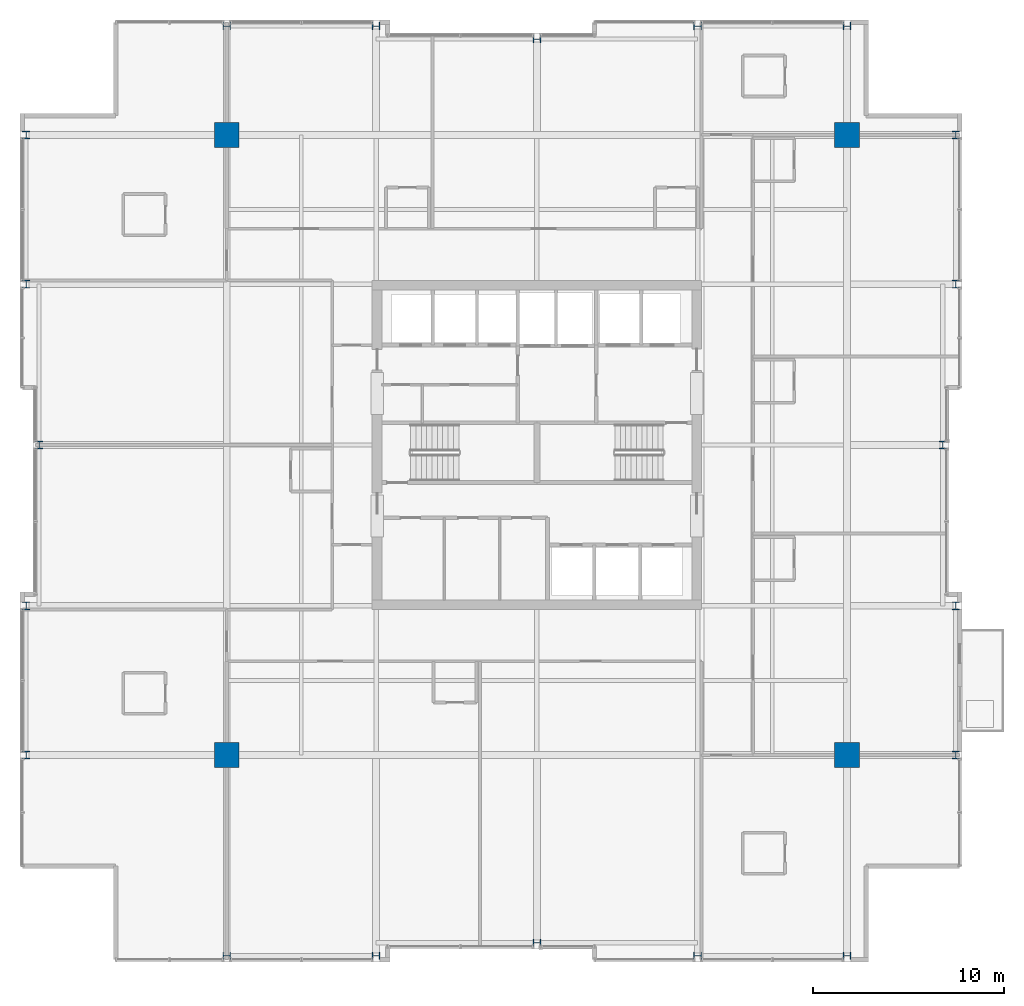
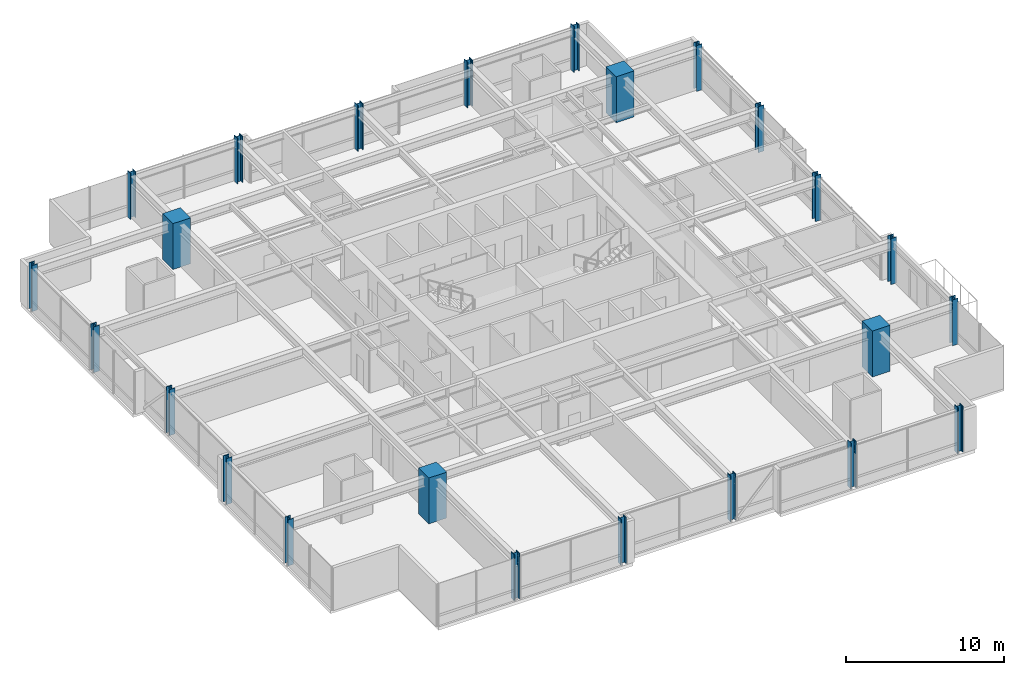
# One storey, part 1 of 33: 24 columns.
"""IFC4 building model written with IfcOpenShell, lengths in metres."""

from ifc_helpers import new_model, si_unit, direction, frame, origin, origin_2d, place, context, subcontext, project, spatial, rectangle, i_section, extrude, material, material_profile, profile_set, type_object, element, save


model = new_model("IFC4")

# Units and contexts
model_context = context("Model", 3, precision=1e-05, world=origin(), true_north=direction((0.0, 1.0)))
body_context = subcontext(model_context, "Body", "Model", "MODEL_VIEW")
ifc_project = project(units=[si_unit("LENGTHUNIT", "METRE"), si_unit("AREAUNIT", "SQUARE_METRE"), si_unit("VOLUMEUNIT", "CUBIC_METRE"), si_unit("PLANEANGLEUNIT", "RADIAN"), si_unit("MASSUNIT", "GRAM", prefix="KILO")], contexts=[model_context])

# Site, building, storey
site_placement = place(None, origin())
site = spatial("IfcSite", under=ifc_project, at=site_placement, CompositionType="ELEMENT")
building_placement = place(site_placement, origin())
building = spatial("IfcBuilding", under=site, at=building_placement, Name="Drelvath Grand Hotel", CompositionType="ELEMENT")
storey_placement = place(building_placement, frame((0.0, 0.0, 168.14990234375)))
storey = spatial("IfcBuildingStorey", under=building, at=storey_placement, Name="L43", CompositionType="ELEMENT", Elevation=168.14990234375)

# Columns
ifc_material_1 = material(Name="Concrete f'c 55 MPa", Category="concrete")
ifc_material_profile_1 = material_profile(ifc_material_1, rectangle(XDim=1.300048828125, YDim=1.300048828125, at=origin_2d()), Name="MC1300X1300")
ifc_profile_set_1 = profile_set([ifc_material_profile_1], Name="Concrete f'c 55 MPa")
column_type_1 = type_object("IfcColumnType", Name="Composite Mega Column MC1300X1300", PredefinedType="COLUMN", material=ifc_profile_set_1)
for number, where, z_axis, x_axis, name in (
    (1, (-16.199951171875, 10.800048828125, 0.0), (0.0, 0.0, 1.0), (1.0, 0.0, 0.0), "L43 Composite Mega Column MC-SW"),
    (2, (16.199951171875, 10.800048828125, 0.0), (0.0, 0.0, 1.0), (1.0, 0.0, 0.0), "L43 Composite Mega Column MC-SE"),
    (3, (-16.199951171875, 43.199951171875, 0.0), (0.0, 0.0, 1.0), (1.0, 0.0, 0.0), "L43 Composite Mega Column MC-NW"),
    (4, (16.199951171875, 43.199951171875, 0.0), (0.0, 0.0, 1.0), (1.0, 0.0, 0.0), "L43 Composite Mega Column MC-NE"),
):
    element("IfcColumn", number, at=place(storey_placement, frame(where, z_axis=z_axis, x_axis=x_axis)), inside=storey, type_object=column_type_1, Name=name, PredefinedType="COLUMN", context=body_context, shape_type="SweptSolid", body=[
        extrude(rectangle(XDim=1.300048828125, YDim=1.300048828125, at=origin_2d()), origin(), (0.0, 0.0, 1.0), 3.550048828125),
    ])
ifc_material_2 = material(Name="Steel ASTM A913 Gr 65", Category="steel")
ifc_material_profile_2 = material_profile(ifc_material_2, i_section(OverallWidth=0.40625, OverallDepth=0.416015625, WebThickness=0.02978515625, FlangeThickness=0.048095703125, FilletRadius=0.028076171875, at=origin_2d()), Name="W14X257")
ifc_profile_set_2 = profile_set([ifc_material_profile_2], Name="Steel ASTM A913 Gr 65")
column_type_2 = type_object("IfcColumnType", Name="Perimeter Steel Column W14X257", PredefinedType="COLUMN", material=ifc_profile_set_2)
for number, where, z_axis, x_axis, name in (
    (5, (-26.679931640625, 10.800048828125, 0.0), (0.0, 0.0, 1.0), (1.0, 0.0, 0.0), "L43 Structural Column TCW-C"),
    (6, (21.8798828125, 10.800048828125, 0.0), (0.0, 0.0, 1.0), (1.0, 0.0, 0.0), "L43 Structural Column TCE-C"),
    (7, (-26.679931640625, 18.60009765625, 0.0), (0.0, 0.0, 1.0), (1.0, 0.0, 0.0), "L43 Structural Column TCW-D"),
    (8, (21.8798828125, 18.60009765625, 0.0), (0.0, 0.0, 1.0), (1.0, 0.0, 0.0), "L43 Structural Column TCE-D"),
    (9, (-26.0, 27.0, 0.0), (0.0, 0.0, 1.0), (1.0, 0.0, 0.0), "L43 Structural Column TCW-E"),
    (10, (21.199951171875, 27.0, 0.0), (0.0, 0.0, 1.0), (1.0, 0.0, 0.0), "L43 Structural Column TCE-E"),
    (11, (-26.679931640625, 35.39990234375, 0.0), (0.0, 0.0, 1.0), (1.0, 0.0, 0.0), "L43 Structural Column TCW-F"),
    (12, (21.8798828125, 35.39990234375, 0.0), (0.0, 0.0, 1.0), (1.0, 0.0, 0.0), "L43 Structural Column TCE-F"),
    (13, (-26.679931640625, 43.199951171875, 0.0), (0.0, 0.0, 1.0), (1.0, 0.0, 0.0), "L43 Structural Column TCW-G"),
    (14, (21.8798828125, 43.199951171875, 0.0), (0.0, 0.0, 1.0), (1.0, 0.0, 0.0), "L43 Structural Column TCE-G"),
    (15, (-16.199951171875, 0.320068359375, 0.0), (0.0, 0.0, 1.0), (0.0, 1.0, 0.0), "L43 Structural Column TCS-3"),
    (16, (-16.199951171875, 48.8798828125, 0.0), (0.0, 0.0, 1.0), (0.0, 1.0, 0.0), "L43 Structural Column TCN-3"),
    (17, (-8.39990234375, 0.320068359375, 0.0), (0.0, 0.0, 1.0), (0.0, 1.0, 0.0), "L43 Structural Column TCS-4"),
    (18, (-8.39990234375, 48.8798828125, 0.0), (0.0, 0.0, 1.0), (0.0, 1.0, 0.0), "L43 Structural Column TCN-4"),
    (19, (0.0, 1.0, 0.0), (0.0, 0.0, 1.0), (0.0, 1.0, 0.0), "L43 Structural Column TCS-5"),
    (20, (0.0, 48.199951171875, 0.0), (0.0, 0.0, 1.0), (0.0, 1.0, 0.0), "L43 Structural Column TCN-5"),
    (21, (8.39990234375, 0.320068359375, 0.0), (0.0, 0.0, 1.0), (0.0, 1.0, 0.0), "L43 Structural Column TCS-6"),
    (22, (8.39990234375, 48.8798828125, 0.0), (0.0, 0.0, 1.0), (0.0, 1.0, 0.0), "L43 Structural Column TCN-6"),
    (23, (16.199951171875, 0.320068359375, 0.0), (0.0, 0.0, 1.0), (0.0, 1.0, 0.0), "L43 Structural Column TCS-7"),
    (24, (16.199951171875, 48.8798828125, 0.0), (0.0, 0.0, 1.0), (0.0, 1.0, 0.0), "L43 Structural Column TCN-7"),
):
    element("IfcColumn", number, at=place(storey_placement, frame(where, z_axis=z_axis, x_axis=x_axis)), inside=storey, type_object=column_type_2, Name=name, PredefinedType="COLUMN", context=body_context, shape_type="SweptSolid", body=[
        extrude(i_section(OverallWidth=0.40625, OverallDepth=0.416015625, WebThickness=0.02978515625, FlangeThickness=0.048095703125, FilletRadius=0.028076171875, at=origin_2d()), origin(), (0.0, 0.0, 1.0), 3.547119140625),
    ])

save(model, "model.ifc")
